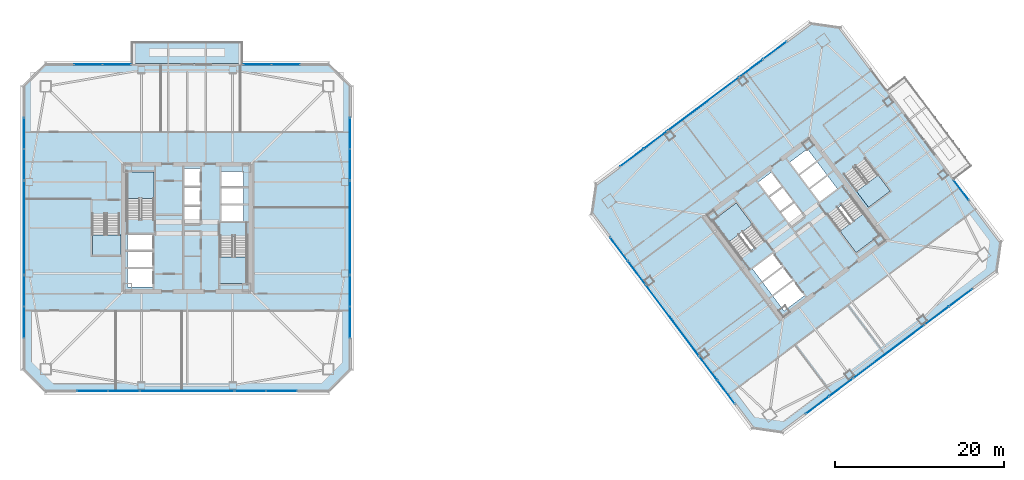
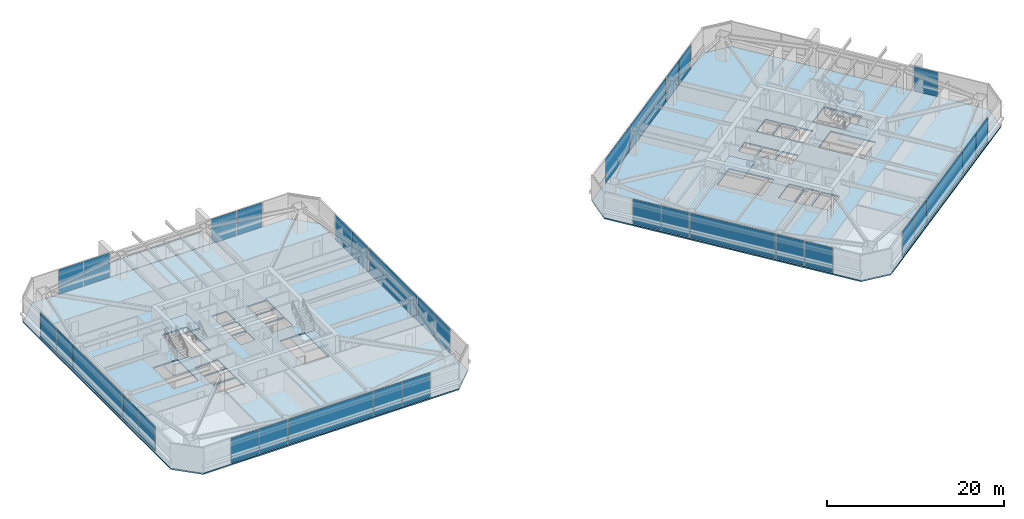
# One storey, part 32 of 44: 35 plates, 9 slabs, 27 elements without a shape of their own.
"""IFC4 building model written with IfcOpenShell, lengths in metres."""

from ifc_helpers import new_model, si_unit, direction, frame, origin, origin_2d, place, context, subcontext, project, spatial, polyline, rectangle, outline, extrude, material, layer, layer_set, type_object, element, aggregate, save


model = new_model("IFC4")

# Units and contexts
model_context = context("Model", 3, precision=1e-05, world=origin(), true_north=direction((0.0, 1.0)))
body_context = subcontext(model_context, "Body", "Model", "MODEL_VIEW")
ifc_project = project(units=[si_unit("LENGTHUNIT", "METRE"), si_unit("AREAUNIT", "SQUARE_METRE"), si_unit("VOLUMEUNIT", "CUBIC_METRE"), si_unit("PLANEANGLEUNIT", "RADIAN"), si_unit("MASSUNIT", "GRAM", prefix="KILO")], contexts=[model_context])

# Site, building, storey
site_placement = place(None, origin())
site = spatial("IfcSite", under=ifc_project, at=site_placement, CompositionType="ELEMENT")
building_placement = place(site_placement, origin())
building = spatial("IfcBuilding", under=site, at=building_placement, Name="Tashvorn Skyway Center", CompositionType="ELEMENT")
storey_placement = place(building_placement, frame((0.0, 0.0, 149.89990234375)))
storey = spatial("IfcBuildingStorey", under=building, at=storey_placement, Name="L40", CompositionType="ELEMENT", Elevation=149.89990234375)

# Curtain wall, plates
ifc_material_1 = material(Name="Thermally broken bronze-anodized aluminium 6063-T6", Category="aluminium")
curtain_wall_type = type_object("IfcCurtainWallType", Name="CW-CW-Z3", PredefinedType="NOTDEFINED", material=ifc_material_1)
curtain_wall_1_placement = place(storey_placement, origin())
curtain_wall_1 = element("IfcCurtainWall", 1, at=curtain_wall_1_placement, inside=storey, type_object=curtain_wall_type, Name="Tower 1 L40 South Unitised Curtain Wall Glazing Group 1", PredefinedType="NOTDEFINED")
ifc_material_2 = material(Name="Low-E solar-control double insulating safety glass", Category="glass")
ifc_layer_1 = layer(ifc_material_2, 0.0400390625)
ifc_layer_set_1 = layer_set([ifc_layer_1], Name="Low-E solar-control double insulating safety glass")
plate_type = type_object("IfcPlateType", Name="CWP-CW-Z3", PredefinedType="CURTAIN_PANEL", material=ifc_layer_set_1)
plate_1_placement = place(storey_placement, frame((53.16796875, 12.719970703125, 0.0751953125), z_axis=(0.0, 0.0, 1.0), x_axis=(-1.0, 0.0, 0.0)))
plate_1 = element("IfcPlate", 2, at=plate_1_placement, type_object=plate_type, Name="CW-Z3 panel 1.1", PredefinedType="CURTAIN_PANEL", context=body_context, shape_type="SweptSolid", body=[
    extrude(rectangle(XDim=3.616455078125, YDim=0.0400390625, at=origin_2d()), origin(), (0.0, 0.0, 1.0), 3.39990234375),
])
plate_2_placement = place(storey_placement, frame((49.4765625, 12.719970703125, 0.0751953125), z_axis=(0.0, 0.0, 1.0), x_axis=(-1.0, 0.0, 0.0)))
plate_2 = element("IfcPlate", 3, at=plate_2_placement, type_object=plate_type, Name="CW-Z3 panel 2.1", PredefinedType="CURTAIN_PANEL", context=body_context, shape_type="SweptSolid", body=[
    extrude(rectangle(XDim=3.616455078125, YDim=0.0400390625, at=origin_2d()), origin(), (0.0, 0.0, 1.0), 3.39990234375),
])
aggregate(curtain_wall_1, [plate_1, plate_2])

# Curtain wall, plate
curtain_wall_2_placement = place(storey_placement, origin())
curtain_wall_2 = element("IfcCurtainWall", 4, at=curtain_wall_2_placement, inside=storey, type_object=curtain_wall_type, Name="Tower 1 L40 South Unitised Curtain Wall Glazing Group 2", PredefinedType="NOTDEFINED")
plate_3_placement = place(storey_placement, frame((42.0, 12.719970703125, 0.0751953125), z_axis=(0.0, 0.0, 1.0), x_axis=(-1.0, 0.0, 0.0)))
plate_3 = element("IfcPlate", 5, at=plate_3_placement, type_object=plate_type, Name="CW-Z3 panel 1.1", PredefinedType="CURTAIN_PANEL", context=body_context, shape_type="SweptSolid", body=[
    extrude(rectangle(XDim=11.03662109375, YDim=0.0400390625, at=origin_2d()), origin(), (0.0, 0.0, 1.0), 3.39990234375),
])
aggregate(curtain_wall_2, [plate_3])

# Curtain wall, plates
curtain_wall_3_placement = place(storey_placement, origin())
curtain_wall_3 = element("IfcCurtainWall", 6, at=curtain_wall_3_placement, inside=storey, type_object=curtain_wall_type, Name="Tower 1 L40 South Unitised Curtain Wall Glazing Group 3", PredefinedType="NOTDEFINED")
plate_4_placement = place(storey_placement, frame((34.5234375, 12.719970703125, 0.0751953125), z_axis=(0.0, 0.0, 1.0), x_axis=(-1.0, 0.0, 0.0)))
plate_4 = element("IfcPlate", 7, at=plate_4_placement, type_object=plate_type, Name="CW-Z3 panel 1.1", PredefinedType="CURTAIN_PANEL", context=body_context, shape_type="SweptSolid", body=[
    extrude(rectangle(XDim=3.616455078125, YDim=0.0400390625, at=origin_2d()), origin(), (0.0, 0.0, 1.0), 3.39990234375),
])
plate_5_placement = place(storey_placement, frame((30.83203125, 12.719970703125, 0.0751953125), z_axis=(0.0, 0.0, 1.0), x_axis=(-1.0, 0.0, 0.0)))
plate_5 = element("IfcPlate", 8, at=plate_5_placement, type_object=plate_type, Name="CW-Z3 panel 2.1", PredefinedType="CURTAIN_PANEL", context=body_context, shape_type="SweptSolid", body=[
    extrude(rectangle(XDim=3.616455078125, YDim=0.0400390625, at=origin_2d()), origin(), (0.0, 0.0, 1.0), 3.39990234375),
])
aggregate(curtain_wall_3, [plate_4, plate_5])

curtain_wall_4_placement = place(storey_placement, origin())
curtain_wall_4 = element("IfcCurtainWall", 9, at=curtain_wall_4_placement, inside=storey, type_object=curtain_wall_type, Name="Tower 1 L40 West Unitised Curtain Wall Glazing Group 1", PredefinedType="NOTDEFINED")
plate_6_placement = place(storey_placement, frame((22.719970703125, 20.83203125, 0.0751953125), z_axis=(0.0, 0.0, 1.0), x_axis=(0.0, 1.0, 0.0)))
plate_6 = element("IfcPlate", 10, at=plate_6_placement, type_object=plate_type, Name="CW-Z3 panel 1.1", PredefinedType="CURTAIN_PANEL", context=body_context, shape_type="SweptSolid", body=[
    extrude(rectangle(XDim=3.616455078125, YDim=0.0400390625, at=origin_2d()), origin(), (0.0, 0.0, 1.0), 3.39990234375),
])
plate_7_placement = place(storey_placement, frame((22.719970703125, 24.5234375, 0.0751953125), z_axis=(0.0, 0.0, 1.0), x_axis=(0.0, 1.0, 0.0)))
plate_7 = element("IfcPlate", 11, at=plate_7_placement, type_object=plate_type, Name="CW-Z3 panel 2.1", PredefinedType="CURTAIN_PANEL", context=body_context, shape_type="SweptSolid", body=[
    extrude(rectangle(XDim=3.616455078125, YDim=0.0400390625, at=origin_2d()), origin(), (0.0, 0.0, 1.0), 3.39990234375),
])
aggregate(curtain_wall_4, [plate_6, plate_7])

# Curtain wall, plate
curtain_wall_5_placement = place(storey_placement, origin())
curtain_wall_5 = element("IfcCurtainWall", 12, at=curtain_wall_5_placement, inside=storey, type_object=curtain_wall_type, Name="Tower 1 L40 West Unitised Curtain Wall Glazing Group 2", PredefinedType="NOTDEFINED")
plate_8_placement = place(storey_placement, frame((22.719970703125, 32.0, 0.0751953125), z_axis=(0.0, 0.0, 1.0), x_axis=(0.0, 1.0, 0.0)))
plate_8 = element("IfcPlate", 13, at=plate_8_placement, type_object=plate_type, Name="CW-Z3 panel 1.1", PredefinedType="CURTAIN_PANEL", context=body_context, shape_type="SweptSolid", body=[
    extrude(rectangle(XDim=11.03662109375, YDim=0.0400390625, at=origin_2d()), origin(), (0.0, 0.0, 1.0), 3.39990234375),
])
aggregate(curtain_wall_5, [plate_8])

# Curtain wall, plates
curtain_wall_6_placement = place(storey_placement, origin())
curtain_wall_6 = element("IfcCurtainWall", 14, at=curtain_wall_6_placement, inside=storey, type_object=curtain_wall_type, Name="Tower 1 L40 West Unitised Curtain Wall Glazing Group 3", PredefinedType="NOTDEFINED")
plate_9_placement = place(storey_placement, frame((22.719970703125, 39.4765625, 0.0751953125), z_axis=(0.0, 0.0, 1.0), x_axis=(0.0, 1.0, 0.0)))
plate_9 = element("IfcPlate", 15, at=plate_9_placement, type_object=plate_type, Name="CW-Z3 panel 1.1", PredefinedType="CURTAIN_PANEL", context=body_context, shape_type="SweptSolid", body=[
    extrude(rectangle(XDim=3.616455078125, YDim=0.0400390625, at=origin_2d()), origin(), (0.0, 0.0, 1.0), 3.39990234375),
])
plate_10_placement = place(storey_placement, frame((22.719970703125, 43.16796875, 0.0751953125), z_axis=(0.0, 0.0, 1.0), x_axis=(0.0, 1.0, 0.0)))
plate_10 = element("IfcPlate", 16, at=plate_10_placement, type_object=plate_type, Name="CW-Z3 panel 2.1", PredefinedType="CURTAIN_PANEL", context=body_context, shape_type="SweptSolid", body=[
    extrude(rectangle(XDim=3.616455078125, YDim=0.0400390625, at=origin_2d()), origin(), (0.0, 0.0, 1.0), 3.39990234375),
])
aggregate(curtain_wall_6, [plate_9, plate_10])

curtain_wall_7_placement = place(storey_placement, origin())
curtain_wall_7 = element("IfcCurtainWall", 17, at=curtain_wall_7_placement, inside=storey, type_object=curtain_wall_type, Name="Tower 1 L40 North Curtain Wall L Glazing Group 1", PredefinedType="NOTDEFINED")
plate_11_placement = place(storey_placement, frame((30.32861328125, 51.280029296875, 0.0751953125), z_axis=(0.0, 0.0, 1.0), x_axis=(1.0, 0.0, 0.0)))
plate_11 = element("IfcPlate", 18, at=plate_11_placement, type_object=plate_type, Name="CW-Z3 panel 1.1", PredefinedType="CURTAIN_PANEL", context=body_context, shape_type="SweptSolid", body=[
    extrude(rectangle(XDim=3.28076171875, YDim=0.0400390625, at=origin_2d()), origin(), (0.0, 0.0, 1.0), 3.39990234375),
])
plate_12_placement = place(storey_placement, frame((33.6845703125, 51.280029296875, 0.0751953125), z_axis=(0.0, 0.0, 1.0), x_axis=(1.0, 0.0, 0.0)))
plate_12 = element("IfcPlate", 19, at=plate_12_placement, type_object=plate_type, Name="CW-Z3 panel 2.1", PredefinedType="CURTAIN_PANEL", context=body_context, shape_type="SweptSolid", body=[
    extrude(rectangle(XDim=3.28076171875, YDim=0.0400390625, at=origin_2d()), origin(), (0.0, 0.0, 1.0), 3.39990234375),
])
aggregate(curtain_wall_7, [plate_11, plate_12])

curtain_wall_8_placement = place(storey_placement, origin())
curtain_wall_8 = element("IfcCurtainWall", 20, at=curtain_wall_8_placement, inside=storey, type_object=curtain_wall_type, Name="Tower 1 L40 North Curtain Wall R Glazing Group 1", PredefinedType="NOTDEFINED")
plate_13_placement = place(storey_placement, frame((50.3154296875, 51.280029296875, 0.0751953125), z_axis=(0.0, 0.0, 1.0), x_axis=(1.0, 0.0, 0.0)))
plate_13 = element("IfcPlate", 21, at=plate_13_placement, type_object=plate_type, Name="CW-Z3 panel 1.1", PredefinedType="CURTAIN_PANEL", context=body_context, shape_type="SweptSolid", body=[
    extrude(rectangle(XDim=3.28076171875, YDim=0.0400390625, at=origin_2d()), origin(), (0.0, 0.0, 1.0), 3.39990234375),
])
plate_14_placement = place(storey_placement, frame((53.67138671875, 51.280029296875, 0.0751953125), z_axis=(0.0, 0.0, 1.0), x_axis=(1.0, 0.0, 0.0)))
plate_14 = element("IfcPlate", 22, at=plate_14_placement, type_object=plate_type, Name="CW-Z3 panel 2.1", PredefinedType="CURTAIN_PANEL", context=body_context, shape_type="SweptSolid", body=[
    extrude(rectangle(XDim=3.28076171875, YDim=0.0400390625, at=origin_2d()), origin(), (0.0, 0.0, 1.0), 3.39990234375),
])
aggregate(curtain_wall_8, [plate_13, plate_14])

curtain_wall_9_placement = place(storey_placement, origin())
curtain_wall_9 = element("IfcCurtainWall", 23, at=curtain_wall_9_placement, inside=storey, type_object=curtain_wall_type, Name="Tower 1 L40 East Unitised Curtain Wall Glazing Group 1", PredefinedType="NOTDEFINED")
plate_15_placement = place(storey_placement, frame((61.280029296875, 43.16796875, 0.0751953125), z_axis=(0.0, 0.0, 1.0), x_axis=(0.0, -1.0, 0.0)))
plate_15 = element("IfcPlate", 24, at=plate_15_placement, type_object=plate_type, Name="CW-Z3 panel 1.1", PredefinedType="CURTAIN_PANEL", context=body_context, shape_type="SweptSolid", body=[
    extrude(rectangle(XDim=3.616455078125, YDim=0.0400390625, at=origin_2d()), origin(), (0.0, 0.0, 1.0), 3.39990234375),
])
plate_16_placement = place(storey_placement, frame((61.280029296875, 39.4765625, 0.0751953125), z_axis=(0.0, 0.0, 1.0), x_axis=(0.0, -1.0, 0.0)))
plate_16 = element("IfcPlate", 25, at=plate_16_placement, type_object=plate_type, Name="CW-Z3 panel 2.1", PredefinedType="CURTAIN_PANEL", context=body_context, shape_type="SweptSolid", body=[
    extrude(rectangle(XDim=3.616455078125, YDim=0.0400390625, at=origin_2d()), origin(), (0.0, 0.0, 1.0), 3.39990234375),
])
aggregate(curtain_wall_9, [plate_15, plate_16])

# Curtain wall, plate
curtain_wall_10_placement = place(storey_placement, origin())
curtain_wall_10 = element("IfcCurtainWall", 26, at=curtain_wall_10_placement, inside=storey, type_object=curtain_wall_type, Name="Tower 1 L40 East Unitised Curtain Wall Glazing Group 2", PredefinedType="NOTDEFINED")
plate_17_placement = place(storey_placement, frame((61.280029296875, 32.0, 0.0751953125), z_axis=(0.0, 0.0, 1.0), x_axis=(0.0, -1.0, 0.0)))
plate_17 = element("IfcPlate", 27, at=plate_17_placement, type_object=plate_type, Name="CW-Z3 panel 1.1", PredefinedType="CURTAIN_PANEL", context=body_context, shape_type="SweptSolid", body=[
    extrude(rectangle(XDim=11.03662109375, YDim=0.0400390625, at=origin_2d()), origin(), (0.0, 0.0, 1.0), 3.39990234375),
])
aggregate(curtain_wall_10, [plate_17])

# Curtain wall, plates
curtain_wall_11_placement = place(storey_placement, origin())
curtain_wall_11 = element("IfcCurtainWall", 28, at=curtain_wall_11_placement, inside=storey, type_object=curtain_wall_type, Name="Tower 1 L40 East Unitised Curtain Wall Glazing Group 3", PredefinedType="NOTDEFINED")
plate_18_placement = place(storey_placement, frame((61.280029296875, 24.5234375, 0.0751953125), z_axis=(0.0, 0.0, 1.0), x_axis=(0.0, -1.0, 0.0)))
plate_18 = element("IfcPlate", 29, at=plate_18_placement, type_object=plate_type, Name="CW-Z3 panel 1.1", PredefinedType="CURTAIN_PANEL", context=body_context, shape_type="SweptSolid", body=[
    extrude(rectangle(XDim=3.616455078125, YDim=0.0400390625, at=origin_2d()), origin(), (0.0, 0.0, 1.0), 3.39990234375),
])
plate_19_placement = place(storey_placement, frame((61.280029296875, 20.83203125, 0.0751953125), z_axis=(0.0, 0.0, 1.0), x_axis=(0.0, -1.0, 0.0)))
plate_19 = element("IfcPlate", 30, at=plate_19_placement, type_object=plate_type, Name="CW-Z3 panel 2.1", PredefinedType="CURTAIN_PANEL", context=body_context, shape_type="SweptSolid", body=[
    extrude(rectangle(XDim=3.616455078125, YDim=0.0400390625, at=origin_2d()), origin(), (0.0, 0.0, 1.0), 3.39990234375),
])
aggregate(curtain_wall_11, [plate_18, plate_19])

curtain_wall_12_placement = place(storey_placement, origin())
curtain_wall_12 = element("IfcCurtainWall", 31, at=curtain_wall_12_placement, inside=storey, type_object=curtain_wall_type, Name="Tower 2 L40 South Unitised Curtain Wall Glazing Group 1", PredefinedType="NOTDEFINED")
plate_20_placement = place(storey_placement, frame((133.42236328125, 23.716796875, 0.0751953125), z_axis=(0.0, 0.0, 1.0), x_axis=(-0.799996599484, -0.600004533995, 0.0)))
plate_20 = element("IfcPlate", 32, at=plate_20_placement, type_object=plate_type, Name="CW-Z3 panel 1.1", PredefinedType="CURTAIN_PANEL", context=body_context, shape_type="SweptSolid", body=[
    extrude(rectangle(XDim=3.41650390625, YDim=0.0400390625, at=origin_2d()), origin(), (0.0, 0.0, 1.0), 3.39990234375),
])
plate_21_placement = place(storey_placement, frame((130.629150390625, 21.621826171875, 0.0751953125), z_axis=(0.0, 0.0, 1.0), x_axis=(-0.799996599484, -0.600004533995, 0.0)))
plate_21 = element("IfcPlate", 33, at=plate_21_placement, type_object=plate_type, Name="CW-Z3 panel 2.1", PredefinedType="CURTAIN_PANEL", context=body_context, shape_type="SweptSolid", body=[
    extrude(rectangle(XDim=3.41650390625, YDim=0.0400390625, at=origin_2d()), origin(), (0.0, 0.0, 1.0), 3.39990234375),
])
aggregate(curtain_wall_12, [plate_20, plate_21])

# Curtain wall, plate
curtain_wall_13_placement = place(storey_placement, origin())
curtain_wall_13 = element("IfcCurtainWall", 34, at=curtain_wall_13_placement, inside=storey, type_object=curtain_wall_type, Name="Tower 2 L40 South Unitised Curtain Wall Glazing Group 2", PredefinedType="NOTDEFINED")
plate_22_placement = place(storey_placement, frame((124.968017578125, 17.3759765625, 0.0751953125), z_axis=(0.0, 0.0, 1.0), x_axis=(-0.800002266987, -0.599996977339, 0.0)))
plate_22 = element("IfcPlate", 35, at=plate_22_placement, type_object=plate_type, Name="CW-Z3 panel 1.1", PredefinedType="CURTAIN_PANEL", context=body_context, shape_type="SweptSolid", body=[
    extrude(rectangle(XDim=10.436767578125, YDim=0.0400390625, at=origin_2d()), origin(), (0.0, 0.0, 1.0), 3.39990234375),
])
aggregate(curtain_wall_13, [plate_22])

# Curtain wall, plates
curtain_wall_14_placement = place(storey_placement, origin())
curtain_wall_14 = element("IfcCurtainWall", 36, at=curtain_wall_14_placement, inside=storey, type_object=curtain_wall_type, Name="Tower 2 L40 South Unitised Curtain Wall Glazing Group 3", PredefinedType="NOTDEFINED")
plate_23_placement = place(storey_placement, frame((119.306640625, 13.130126953125, 0.0751953125), z_axis=(0.0, 0.0, 1.0), x_axis=(-0.799996599484, -0.600004533995, 0.0)))
plate_23 = element("IfcPlate", 37, at=plate_23_placement, type_object=plate_type, Name="CW-Z3 panel 1.1", PredefinedType="CURTAIN_PANEL", context=body_context, shape_type="SweptSolid", body=[
    extrude(rectangle(XDim=3.41650390625, YDim=0.0400390625, at=origin_2d()), origin(), (0.0, 0.0, 1.0), 3.39990234375),
])
plate_24_placement = place(storey_placement, frame((116.513671875, 11.03515625, 0.0751953125), z_axis=(0.0, 0.0, 1.0), x_axis=(-0.799996599484, -0.600004533995, 0.0)))
plate_24 = element("IfcPlate", 38, at=plate_24_placement, type_object=plate_type, Name="CW-Z3 panel 2.1", PredefinedType="CURTAIN_PANEL", context=body_context, shape_type="SweptSolid", body=[
    extrude(rectangle(XDim=3.41650390625, YDim=0.0400390625, at=origin_2d()), origin(), (0.0, 0.0, 1.0), 3.39990234375),
])
aggregate(curtain_wall_14, [plate_23, plate_24])

curtain_wall_15_placement = place(storey_placement, origin())
curtain_wall_15 = element("IfcCurtainWall", 39, at=curtain_wall_15_placement, inside=storey, type_object=curtain_wall_type, Name="Tower 2 L40 West Unitised Curtain Wall Glazing Group 1", PredefinedType="NOTDEFINED")
plate_25_placement = place(storey_placement, frame((105.716796875, 12.57763671875, 0.0751953125), z_axis=(0.0, 0.0, 1.0), x_axis=(-0.600004533995, 0.799996599484, 0.0)))
plate_25 = element("IfcPlate", 40, at=plate_25_placement, type_object=plate_type, Name="CW-Z3 panel 1.1", PredefinedType="CURTAIN_PANEL", context=body_context, shape_type="SweptSolid", body=[
    extrude(rectangle(XDim=3.41650390625, YDim=0.0400390625, at=origin_2d()), origin(), (0.0, 0.0, 1.0), 3.39990234375),
])
plate_26_placement = place(storey_placement, frame((103.621826171875, 15.370849609375, 0.0751953125), z_axis=(0.0, 0.0, 1.0), x_axis=(-0.600004533995, 0.799996599484, 0.0)))
plate_26 = element("IfcPlate", 41, at=plate_26_placement, type_object=plate_type, Name="CW-Z3 panel 2.1", PredefinedType="CURTAIN_PANEL", context=body_context, shape_type="SweptSolid", body=[
    extrude(rectangle(XDim=3.41650390625, YDim=0.0400390625, at=origin_2d()), origin(), (0.0, 0.0, 1.0), 3.39990234375),
])
aggregate(curtain_wall_15, [plate_25, plate_26])

# Curtain wall, plate
curtain_wall_16_placement = place(storey_placement, origin())
curtain_wall_16 = element("IfcCurtainWall", 42, at=curtain_wall_16_placement, inside=storey, type_object=curtain_wall_type, Name="Tower 2 L40 West Unitised Curtain Wall Glazing Group 2", PredefinedType="NOTDEFINED")
plate_27_placement = place(storey_placement, frame((99.3759765625, 21.031982421875, 0.0751953125), z_axis=(0.0, 0.0, 1.0), x_axis=(-0.599996977339, 0.800002266987, 0.0)))
plate_27 = element("IfcPlate", 43, at=plate_27_placement, type_object=plate_type, Name="CW-Z3 panel 1.1", PredefinedType="CURTAIN_PANEL", context=body_context, shape_type="SweptSolid", body=[
    extrude(rectangle(XDim=10.436767578125, YDim=0.0400390625, at=origin_2d()), origin(), (0.0, 0.0, 1.0), 3.39990234375),
])
aggregate(curtain_wall_16, [plate_27])

# Curtain wall, plates
curtain_wall_17_placement = place(storey_placement, origin())
curtain_wall_17 = element("IfcCurtainWall", 44, at=curtain_wall_17_placement, inside=storey, type_object=curtain_wall_type, Name="Tower 2 L40 West Unitised Curtain Wall Glazing Group 3", PredefinedType="NOTDEFINED")
plate_28_placement = place(storey_placement, frame((95.130126953125, 26.693359375, 0.0751953125), z_axis=(0.0, 0.0, 1.0), x_axis=(-0.600004533995, 0.799996599484, 0.0)))
plate_28 = element("IfcPlate", 45, at=plate_28_placement, type_object=plate_type, Name="CW-Z3 panel 1.1", PredefinedType="CURTAIN_PANEL", context=body_context, shape_type="SweptSolid", body=[
    extrude(rectangle(XDim=3.41650390625, YDim=0.0400390625, at=origin_2d()), origin(), (0.0, 0.0, 1.0), 3.39990234375),
])
plate_29_placement = place(storey_placement, frame((93.03515625, 29.486328125, 0.0751953125), z_axis=(0.0, 0.0, 1.0), x_axis=(-0.600004533995, 0.799996599484, 0.0)))
plate_29 = element("IfcPlate", 46, at=plate_29_placement, type_object=plate_type, Name="CW-Z3 panel 2.1", PredefinedType="CURTAIN_PANEL", context=body_context, shape_type="SweptSolid", body=[
    extrude(rectangle(XDim=3.41650390625, YDim=0.0400390625, at=origin_2d()), origin(), (0.0, 0.0, 1.0), 3.39990234375),
])
aggregate(curtain_wall_17, [plate_28, plate_29])

curtain_wall_18_placement = place(storey_placement, origin())
curtain_wall_18 = element("IfcCurtainWall", 47, at=curtain_wall_18_placement, inside=storey, type_object=curtain_wall_type, Name="Tower 2 L40 North Unitised Curtain Wall Glazing Group 1", PredefinedType="NOTDEFINED")
plate_30_placement = place(storey_placement, frame((94.57763671875, 40.283203125, 0.0751953125), z_axis=(0.0, 0.0, 1.0), x_axis=(0.799996599484, 0.600004533995, 0.0)))
plate_30 = element("IfcPlate", 48, at=plate_30_placement, type_object=plate_type, Name="CW-Z3 panel 1.1", PredefinedType="CURTAIN_PANEL", context=body_context, shape_type="SweptSolid", body=[
    extrude(rectangle(XDim=3.41650390625, YDim=0.0400390625, at=origin_2d()), origin(), (0.0, 0.0, 1.0), 3.39990234375),
])
plate_31_placement = place(storey_placement, frame((97.370849609375, 42.378173828125, 0.0751953125), z_axis=(0.0, 0.0, 1.0), x_axis=(0.799996599484, 0.600004533995, 0.0)))
plate_31 = element("IfcPlate", 49, at=plate_31_placement, type_object=plate_type, Name="CW-Z3 panel 2.1", PredefinedType="CURTAIN_PANEL", context=body_context, shape_type="SweptSolid", body=[
    extrude(rectangle(XDim=3.41650390625, YDim=0.0400390625, at=origin_2d()), origin(), (0.0, 0.0, 1.0), 3.39990234375),
])
aggregate(curtain_wall_18, [plate_30, plate_31])

# Curtain wall, plate
curtain_wall_19_placement = place(storey_placement, origin())
curtain_wall_19 = element("IfcCurtainWall", 50, at=curtain_wall_19_placement, inside=storey, type_object=curtain_wall_type, Name="Tower 2 L40 North Unitised Curtain Wall Glazing Group 2", PredefinedType="NOTDEFINED")
plate_32_placement = place(storey_placement, frame((103.031982421875, 46.6240234375, 0.0751953125), z_axis=(0.0, 0.0, 1.0), x_axis=(0.800002266987, 0.599996977339, 0.0)))
plate_32 = element("IfcPlate", 51, at=plate_32_placement, type_object=plate_type, Name="CW-Z3 panel 1.1", PredefinedType="CURTAIN_PANEL", context=body_context, shape_type="SweptSolid", body=[
    extrude(rectangle(XDim=10.436767578125, YDim=0.0400390625, at=origin_2d()), origin(), (0.0, 0.0, 1.0), 3.39990234375),
])
aggregate(curtain_wall_19, [plate_32])

# Curtain wall, plates
curtain_wall_20_placement = place(storey_placement, origin())
curtain_wall_20 = element("IfcCurtainWall", 52, at=curtain_wall_20_placement, inside=storey, type_object=curtain_wall_type, Name="Tower 2 L40 North Unitised Curtain Wall Glazing Group 3", PredefinedType="NOTDEFINED")
plate_33_placement = place(storey_placement, frame((108.693359375, 50.869873046875, 0.0751953125), z_axis=(0.0, 0.0, 1.0), x_axis=(0.799996599484, 0.600004533995, 0.0)))
plate_33 = element("IfcPlate", 53, at=plate_33_placement, type_object=plate_type, Name="CW-Z3 panel 1.1", PredefinedType="CURTAIN_PANEL", context=body_context, shape_type="SweptSolid", body=[
    extrude(rectangle(XDim=3.41650390625, YDim=0.0400390625, at=origin_2d()), origin(), (0.0, 0.0, 1.0), 3.39990234375),
])
plate_34_placement = place(storey_placement, frame((111.486328125, 52.96484375, 0.0751953125), z_axis=(0.0, 0.0, 1.0), x_axis=(0.799996599484, 0.600004533995, 0.0)))
plate_34 = element("IfcPlate", 54, at=plate_34_placement, type_object=plate_type, Name="CW-Z3 panel 2.1", PredefinedType="CURTAIN_PANEL", context=body_context, shape_type="SweptSolid", body=[
    extrude(rectangle(XDim=3.41650390625, YDim=0.0400390625, at=origin_2d()), origin(), (0.0, 0.0, 1.0), 3.39990234375),
])
aggregate(curtain_wall_20, [plate_33, plate_34])

# Curtain wall, plate
curtain_wall_21_placement = place(storey_placement, origin())
curtain_wall_21 = element("IfcCurtainWall", 55, at=curtain_wall_21_placement, inside=storey, type_object=curtain_wall_type, Name="Tower 2 L40 East Curtain Wall R Glazing Group 1", PredefinedType="NOTDEFINED")
plate_35_placement = place(storey_placement, frame((133.511962890625, 36.45068359375, 0.0751953125), z_axis=(0.0, 0.0, 1.0), x_axis=(0.599994827616, -0.800003879262, 0.0)))
plate_35 = element("IfcPlate", 56, at=plate_35_placement, type_object=plate_type, Name="CW-Z3 panel 1.1", PredefinedType="CURTAIN_PANEL", context=body_context, shape_type="SweptSolid", body=[
    extrude(rectangle(XDim=2.943359375, YDim=0.0400390625, at=origin_2d()), origin(), (0.0, 0.0, 1.0), 3.39990234375),
])
aggregate(curtain_wall_21, [plate_35])

# Slabs
ifc_material_3 = material(Name="Concrete C40/50", Category="concrete")
ifc_layer_2 = layer(ifc_material_3, 0.179931640625)
ifc_layer_set_2 = layer_set([ifc_layer_2], Name="Concrete C40/50")
slab_type_1 = type_object("IfcSlabType", Name="SLAB-FLR-180", PredefinedType="FLOOR", material=ifc_layer_set_2)
slab_1_placement = place(storey_placement, frame((0.0, 0.0, -0.179931640625)))
element("IfcSlab", 57, at=slab_1_placement, inside=storey, type_object=slab_type_1, Name="Tower 1 L40 Composite Floor Slab", PredefinedType="FLOOR", context=body_context, shape_type="SweptSolid", body=[
    extrude(outline(polyline([(25.300048828125, 12.60009765625), (58.699951171875, 12.60009765625), (61.39990234375, 15.300048828125), (61.39990234375, 48.699951171875), (58.699951171875, 51.39990234375), (25.300048828125, 51.39990234375), (22.60009765625, 48.699951171875), (22.60009765625, 15.300048828125), (25.300048828125, 12.60009765625)]), holes=[polyline([(38.10009765625, 33.080078125), (38.10009765625, 38.60009765625), (34.89990234375, 38.60009765625), (34.89990234375, 33.080078125), (38.10009765625, 33.080078125)]), polyline([(45.89990234375, 30.919921875), (45.89990234375, 25.39990234375), (49.10009765625, 25.39990234375), (49.10009765625, 30.919921875), (45.89990234375, 30.919921875)]), polyline([(30.800048828125, 33.52001953125), (30.800048828125, 28.800048828125), (34.0, 28.800048828125), (34.0, 33.52001953125), (30.800048828125, 33.52001953125)]), polyline([(34.949951171875, 29.35009765625), (37.949951171875, 29.35009765625), (37.949951171875, 31.199951171875), (34.949951171875, 31.199951171875), (34.949951171875, 29.35009765625)]), polyline([(34.949951171875, 27.35009765625), (37.949951171875, 27.35009765625), (37.949951171875, 29.199951171875), (34.949951171875, 29.199951171875), (34.949951171875, 27.35009765625)]), polyline([(34.949951171875, 25.0), (37.949951171875, 25.0), (37.949951171875, 27.14990234375), (34.949951171875, 27.14990234375), (34.949951171875, 25.0)]), polyline([(41.64990234375, 32.449951171875), (43.550048828125, 32.449951171875), (43.550048828125, 34.5), (41.64990234375, 34.5), (41.64990234375, 32.449951171875)]), polyline([(41.64990234375, 34.699951171875), (43.550048828125, 34.699951171875), (43.550048828125, 36.75), (41.64990234375, 36.75), (41.64990234375, 34.699951171875)]), polyline([(41.64990234375, 36.949951171875), (43.550048828125, 36.949951171875), (43.550048828125, 39.0), (41.64990234375, 39.0), (41.64990234375, 36.949951171875)]), polyline([(46.050048828125, 32.800048828125), (48.64990234375, 32.800048828125), (48.64990234375, 34.64990234375), (46.050048828125, 34.64990234375), (46.050048828125, 32.800048828125)]), polyline([(46.050048828125, 34.85009765625), (48.64990234375, 34.85009765625), (48.64990234375, 36.699951171875), (46.050048828125, 36.699951171875), (46.050048828125, 34.85009765625)]), polyline([(46.050048828125, 36.89990234375), (48.64990234375, 36.89990234375), (48.64990234375, 38.64990234375), (46.050048828125, 38.64990234375), (46.050048828125, 36.89990234375)])]), origin(), (0.0, 0.0, 1.0), 0.179931640625),
])
slab_2_placement = place(storey_placement, frame((0.0, 0.0, -0.179931640625)))
element("IfcSlab", 58, at=slab_2_placement, inside=storey, type_object=slab_type_1, Name="Tower 2 L40 Composite Floor Slab", PredefinedType="FLOOR", context=body_context, shape_type="SweptSolid", body=[
    extrude(outline(polyline([(112.39990234375, 7.800048828125), (137.679931640625, 26.760009765625), (138.199951171875, 30.39990234375), (119.239990234375, 55.679931640625), (115.60009765625, 56.199951171875), (90.320068359375, 37.239990234375), (89.800048828125, 33.60009765625), (108.760009765625, 8.320068359375), (112.39990234375, 7.800048828125)]), holes=[polyline([(110.23193359375, 30.52392578125), (106.919921875, 34.93994140625), (104.135986328125, 32.85205078125), (107.447998046875, 28.43603515625), (110.23193359375, 30.52392578125)]), polyline([(117.76806640625, 33.47607421875), (121.080078125, 29.06005859375), (123.864013671875, 31.14794921875), (120.552001953125, 35.56396484375), (117.76806640625, 33.47607421875)]), polyline([(119.7119140625, 38.18408203125), (122.5439453125, 34.407958984375), (125.10400390625, 36.327880859375), (122.27197265625, 40.10400390625), (119.7119140625, 38.18408203125)]), polyline([(109.949951171875, 25.64990234375), (112.35009765625, 27.449951171875), (111.239990234375, 28.929931640625), (108.840087890625, 27.1298828125), (109.949951171875, 25.64990234375)]), polyline([(111.14990234375, 24.050048828125), (113.550048828125, 25.85009765625), (112.43994140625, 27.330078125), (110.0400390625, 25.530029296875), (111.14990234375, 24.050048828125)]), polyline([(112.56005859375, 22.169921875), (114.9599609375, 23.969970703125), (113.669921875, 25.68994140625), (111.27001953125, 23.889892578125), (112.56005859375, 22.169921875)]), polyline([(113.449951171875, 32.14990234375), (114.969970703125, 33.2900390625), (113.739990234375, 34.929931640625), (112.219970703125, 33.7900390625), (113.449951171875, 32.14990234375)]), polyline([(112.10009765625, 33.949951171875), (113.6201171875, 35.090087890625), (112.389892578125, 36.72998046875), (110.8701171875, 35.590087890625), (112.10009765625, 33.949951171875)]), polyline([(110.75, 35.75), (112.27001953125, 36.889892578125), (111.0400390625, 38.530029296875), (109.52001953125, 37.389892578125), (110.75, 35.75)]), polyline([(116.760009765625, 35.070068359375), (118.840087890625, 36.6298828125), (117.72998046875, 38.110107421875), (115.64990234375, 36.550048828125), (116.760009765625, 35.070068359375)]), polyline([(115.530029296875, 36.7099609375), (117.610107421875, 38.27001953125), (116.5, 39.75), (114.419921875, 38.18994140625), (115.530029296875, 36.7099609375)]), polyline([(114.300048828125, 38.35009765625), (116.3798828125, 39.909912109375), (115.330078125, 41.31005859375), (113.25, 39.75), (114.300048828125, 38.35009765625)])]), origin(), (0.0, 0.0, 1.0), 0.179931640625),
])

# Stair, slab
stair_type = type_object("IfcStairType", Name="STAIR-CORE-1500", PredefinedType="HALF_TURN_STAIR", material=ifc_material_3)
stair_1_placement = place(storey_placement, origin())
stair_1 = element("IfcStair", 59, at=stair_1_placement, inside=storey, type_object=stair_type, Name="L40 Tower 1 Exit Stair 1", PredefinedType="HALF_TURN_STAIR")
ifc_layer_3 = layer(ifc_material_3, 0.199951171875)
ifc_layer_set_3 = layer_set([ifc_layer_3], Name="Concrete C40/50")
slab_type_2 = type_object("IfcSlabType", Name="SLAB-LAND-200", PredefinedType="LANDING", material=ifc_layer_set_3)
slab_3_placement = place(storey_placement, frame((0.0, 0.0, 1.5751953125)))
slab_3 = element("IfcSlab", 60, at=slab_3_placement, type_object=slab_type_2, Name="ST-T1-1 landing 1", PredefinedType="LANDING", context=body_context, shape_type="SweptSolid", body=[
    extrude(outline(polyline([(38.10009765625, 35.43994140625), (38.10009765625, 38.60009765625), (34.89990234375, 38.60009765625), (34.89990234375, 35.43994140625), (38.10009765625, 35.43994140625)])), origin(), (0.0, 0.0, 1.0), 0.199951171875),
])
aggregate(stair_1, [slab_3])

stair_2_placement = place(storey_placement, origin())
stair_2 = element("IfcStair", 61, at=stair_2_placement, inside=storey, type_object=stair_type, Name="L40 Tower 1 Exit Stair 2", PredefinedType="HALF_TURN_STAIR")
slab_4_placement = place(storey_placement, frame((0.0, 0.0, 1.5751953125)))
slab_4 = element("IfcSlab", 62, at=slab_4_placement, type_object=slab_type_2, Name="ST-T1-2 landing 1", PredefinedType="LANDING", context=body_context, shape_type="SweptSolid", body=[
    extrude(outline(polyline([(45.89990234375, 28.56005859375), (45.89990234375, 25.39990234375), (49.10009765625, 25.39990234375), (49.10009765625, 28.56005859375), (45.89990234375, 28.56005859375)])), origin(), (0.0, 0.0, 1.0), 0.199951171875),
])
aggregate(stair_2, [slab_4])

stair_3_placement = place(storey_placement, origin())
stair_3 = element("IfcStair", 63, at=stair_3_placement, inside=storey, type_object=stair_type, Name="L40 Tower 2 Exit Stair 1", PredefinedType="HALF_TURN_STAIR")
slab_5_placement = place(storey_placement, frame((0.0, 0.0, 1.5751953125)))
slab_5 = element("IfcSlab", 64, at=slab_5_placement, type_object=slab_type_2, Name="ST-T2-1 landing 1", PredefinedType="LANDING", context=body_context, shape_type="SweptSolid", body=[
    extrude(outline(polyline([(108.82080078125, 32.405517578125), (106.919921875, 34.93994140625), (104.135986328125, 32.85205078125), (106.036865234375, 30.317626953125), (108.82080078125, 32.405517578125)])), origin(), (0.0, 0.0, 1.0), 0.199951171875),
])
aggregate(stair_3, [slab_5])

stair_4_placement = place(storey_placement, origin())
stair_4 = element("IfcStair", 65, at=stair_4_placement, inside=storey, type_object=stair_type, Name="L40 Tower 2 Exit Stair 2", PredefinedType="HALF_TURN_STAIR")
slab_6_placement = place(storey_placement, frame((0.0, 0.0, 1.5751953125)))
slab_6 = element("IfcSlab", 66, at=slab_6_placement, type_object=slab_type_2, Name="ST-T2-2 landing 1", PredefinedType="LANDING", context=body_context, shape_type="SweptSolid", body=[
    extrude(outline(polyline([(119.17919921875, 31.594482421875), (121.080078125, 29.06005859375), (123.864013671875, 31.14794921875), (121.963134765625, 33.682373046875), (119.17919921875, 31.594482421875)])), origin(), (0.0, 0.0, 1.0), 0.199951171875),
])
aggregate(stair_4, [slab_6])

stair_5_placement = place(storey_placement, origin())
stair_5 = element("IfcStair", 67, at=stair_5_placement, inside=storey, type_object=stair_type, Name="L40 Tower 1 Exit Stair 3", PredefinedType="HALF_TURN_STAIR")
slab_7_placement = place(storey_placement, frame((0.0, 0.0, 1.5751953125)))
slab_7 = element("IfcSlab", 68, at=slab_7_placement, type_object=slab_type_2, Name="ST-T1-3 landing 1", PredefinedType="LANDING", context=body_context, shape_type="SweptSolid", body=[
    extrude(outline(polyline([(30.800048828125, 31.159912109375), (30.800048828125, 28.800048828125), (34.199951171875, 28.800048828125), (34.199951171875, 31.159912109375), (30.800048828125, 31.159912109375)])), origin(), (0.0, 0.0, 1.0), 0.199951171875),
])
aggregate(stair_5, [slab_7])

stair_6_placement = place(storey_placement, origin())
stair_6 = element("IfcStair", 69, at=stair_6_placement, inside=storey, type_object=stair_type, Name="L40 Tower 2 Exit Stair 3", PredefinedType="HALF_TURN_STAIR")
slab_8_placement = place(storey_placement, frame((0.0, 0.0, 1.5751953125)))
slab_8 = element("IfcSlab", 70, at=slab_8_placement, type_object=slab_type_2, Name="ST-T2-3 landing 1", PredefinedType="LANDING", context=body_context, shape_type="SweptSolid", body=[
    extrude(outline(polyline([(121.123291015625, 36.302490234375), (122.5439453125, 34.407958984375), (125.10400390625, 36.327880859375), (123.68310546875, 38.222412109375), (121.123291015625, 36.302490234375)])), origin(), (0.0, 0.0, 1.0), 0.199951171875),
])
aggregate(stair_6, [slab_8])

# Slab
ifc_layer_4 = layer(ifc_material_3, 0.179931640625)
ifc_layer_set_4 = layer_set([ifc_layer_4], Name="Concrete C40/50")
slab_type_3 = type_object("IfcSlabType", Name="SLAB-TERR-200", PredefinedType="FLOOR", material=ifc_layer_set_4)
slab_9_placement = place(storey_placement, frame((0.0, 0.0, -0.179931640625)))
element("IfcSlab", 71, at=slab_9_placement, inside=storey, type_object=slab_type_3, Name="Tower 1 L40 Sky Garden Slab", PredefinedType="FLOOR", context=body_context, shape_type="SweptSolid", body=[
    extrude(outline(polyline([(35.39990234375, 51.389892578125), (48.60009765625, 51.389892578125), (48.60009765625, 54.0), (35.39990234375, 54.0), (35.39990234375, 51.389892578125)])), origin(), (0.0, 0.0, 1.0), 0.179931640625),
])

save(model, "model.ifc")
